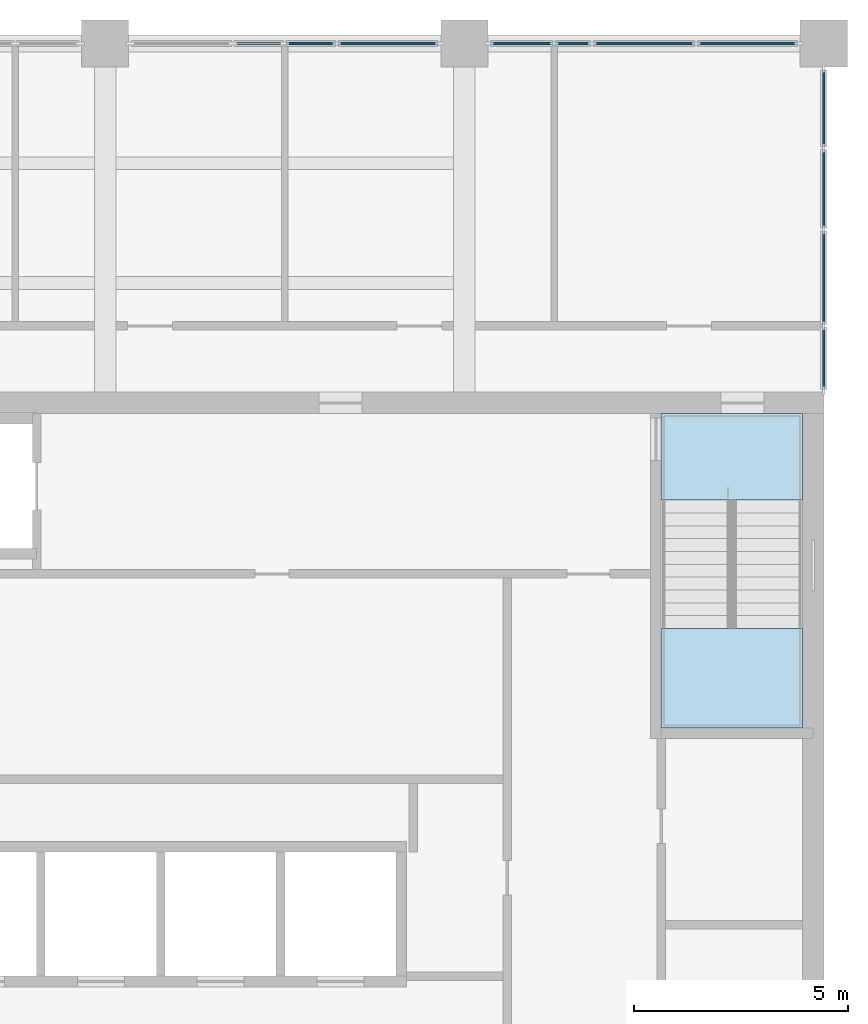
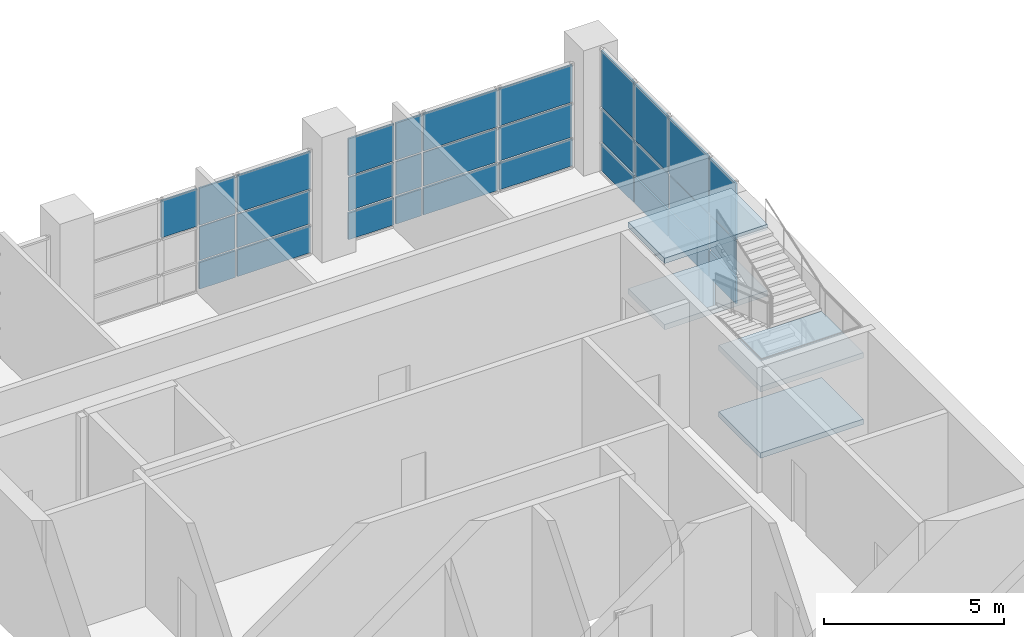
# One storey, part 21 of 64: 31 plates, 4 slabs, 4 elements without a shape of their own.
"""IFC4 building model written with IfcOpenShell, lengths in metres."""

from ifc_helpers import new_model, si_unit, direction, frame, origin, origin_2d, place, context, subcontext, project, spatial, polyline, rectangle, outline, extrude, material, layer, layer_set, type_object, element, aggregate, save


model = new_model("IFC4")

# Units and contexts
model_context = context("Model", 3, precision=1e-05, world=origin(), true_north=direction((0.0, 1.0)))
body_context = subcontext(model_context, "Body", "Model", "MODEL_VIEW")
ifc_project = project(units=[si_unit("LENGTHUNIT", "METRE"), si_unit("AREAUNIT", "SQUARE_METRE"), si_unit("VOLUMEUNIT", "CUBIC_METRE"), si_unit("PLANEANGLEUNIT", "RADIAN"), si_unit("MASSUNIT", "GRAM", prefix="KILO")], contexts=[model_context])

# Site, building, storey
site_placement = place(None, origin())
site = spatial("IfcSite", under=ifc_project, at=site_placement, CompositionType="ELEMENT")
building_placement = place(site_placement, origin())
building = spatial("IfcBuilding", under=site, at=building_placement, Name="Rulbaag Community and Learning Centre", CompositionType="ELEMENT")
storey_placement = place(building_placement, frame((0.0, 0.0, 5.39990234375)))
storey = spatial("IfcBuildingStorey", under=building, at=storey_placement, Name="L01", CompositionType="ELEMENT", Elevation=5.39990234375)

# Curtain wall, plates
ifc_material_1 = material(Name="Aluminium", Category="aluminium")
ifc_layer_1 = layer(ifc_material_1, 0.14990234375)
ifc_layer_set_1 = layer_set([ifc_layer_1], Name="CW-T")
curtain_wall_type = type_object("IfcCurtainWallType", Name="CW-T", PredefinedType="USERDEFINED", material=ifc_layer_set_1)
curtain_wall_1_placement = place(storey_placement, origin())
curtain_wall_1 = element("IfcCurtainWall", 1, at=curtain_wall_1_placement, inside=storey, type_object=curtain_wall_type, Name="GT-L01-02", ObjectType="UNITISED CURTAIN WALL", PredefinedType="USERDEFINED")
ifc_layer_2 = layer(ifc_material_1, 0.06005859375)
ifc_layer_set_2 = layer_set([ifc_layer_2], Name="CW-T-SPN")
plate_type_1 = type_object("IfcPlateType", Name="CW-T-SPN", PredefinedType="CURTAIN_PANEL", material=ifc_layer_set_2)
plate_1_placement = place(storey_placement, frame((154.791748046875, 117.60009765625, 2.232666015625), z_axis=(0.0, 0.0, 1.0), x_axis=(1.0, 0.0, 0.0)))
plate_1 = element("IfcPlate", 2, at=plate_1_placement, type_object=plate_type_1, Name="GT spandrel panel", PredefinedType="CURTAIN_PANEL", context=body_context, shape_type="SweptSolid", body=[
    extrude(rectangle(XDim=1.151611328125, YDim=0.06005859375, at=origin_2d()), origin(), (0.0, 0.0, 1.0), 1.25244140625),
])
plate_2_placement = place(storey_placement, frame((156.00830078125, 117.60009765625, 0.06494140625), z_axis=(0.0, 0.0, 1.0), x_axis=(1.0, 0.0, 0.0)))
plate_2 = element("IfcPlate", 3, at=plate_2_placement, type_object=plate_type_1, Name="GT spandrel panel", PredefinedType="CURTAIN_PANEL", context=body_context, shape_type="SweptSolid", body=[
    extrude(rectangle(XDim=1.151611328125, YDim=0.06005859375, at=origin_2d()), origin(), (0.0, 0.0, 1.0), 0.902587890625),
])
plate_3_placement = place(storey_placement, frame((156.00830078125, 117.60009765625, 2.232666015625), z_axis=(0.0, 0.0, 1.0), x_axis=(1.0, 0.0, 0.0)))
plate_3 = element("IfcPlate", 4, at=plate_3_placement, type_object=plate_type_1, Name="GT spandrel panel", PredefinedType="CURTAIN_PANEL", context=body_context, shape_type="SweptSolid", body=[
    extrude(rectangle(XDim=1.151611328125, YDim=0.06005859375, at=origin_2d()), origin(), (0.0, 0.0, 1.0), 1.25244140625),
])
plate_4_placement = place(storey_placement, frame((157.817138671875, 117.60009765625, 0.06494140625), z_axis=(0.0, 0.0, 1.0), x_axis=(1.0, 0.0, 0.0)))
plate_4 = element("IfcPlate", 5, at=plate_4_placement, type_object=plate_type_1, Name="GT spandrel panel", PredefinedType="CURTAIN_PANEL", context=body_context, shape_type="SweptSolid", body=[
    extrude(rectangle(XDim=2.3359375, YDim=0.06005859375, at=origin_2d()), origin(), (0.0, 0.0, 1.0), 0.902587890625),
])
plate_5_placement = place(storey_placement, frame((157.817138671875, 117.60009765625, 2.232666015625), z_axis=(0.0, 0.0, 1.0), x_axis=(1.0, 0.0, 0.0)))
plate_5 = element("IfcPlate", 6, at=plate_5_placement, type_object=plate_type_1, Name="GT spandrel panel", PredefinedType="CURTAIN_PANEL", context=body_context, shape_type="SweptSolid", body=[
    extrude(rectangle(XDim=2.3359375, YDim=0.06005859375, at=origin_2d()), origin(), (0.0, 0.0, 1.0), 1.25244140625),
])

curtain_wall_2_placement = place(storey_placement, origin())
curtain_wall_2 = element("IfcCurtainWall", 7, at=curtain_wall_2_placement, inside=storey, type_object=curtain_wall_type, Name="GT-L01-03", ObjectType="UNITISED CURTAIN WALL", PredefinedType="USERDEFINED")
plate_6_placement = place(storey_placement, frame((160.941162109375, 117.60009765625, 0.06494140625), z_axis=(0.0, 0.0, 1.0), x_axis=(1.0, 0.0, 0.0)))
plate_6 = element("IfcPlate", 8, at=plate_6_placement, type_object=plate_type_1, Name="GT spandrel panel", PredefinedType="CURTAIN_PANEL", context=body_context, shape_type="SweptSolid", body=[
    extrude(rectangle(XDim=1.452392578125, YDim=0.06005859375, at=origin_2d()), origin(), (0.0, 0.0, 1.0), 0.902587890625),
])
plate_7_placement = place(storey_placement, frame((160.941162109375, 117.60009765625, 2.232666015625), z_axis=(0.0, 0.0, 1.0), x_axis=(1.0, 0.0, 0.0)))
plate_7 = element("IfcPlate", 9, at=plate_7_placement, type_object=plate_type_1, Name="GT spandrel panel", PredefinedType="CURTAIN_PANEL", context=body_context, shape_type="SweptSolid", body=[
    extrude(rectangle(XDim=1.452392578125, YDim=0.06005859375, at=origin_2d()), origin(), (0.0, 0.0, 1.0), 1.25244140625),
])
plate_8_placement = place(storey_placement, frame((162.1416015625, 117.60009765625, 0.06494140625), z_axis=(0.0, 0.0, 1.0), x_axis=(1.0, 0.0, 0.0)))
plate_8 = element("IfcPlate", 10, at=plate_8_placement, type_object=plate_type_1, Name="GT spandrel panel", PredefinedType="CURTAIN_PANEL", context=body_context, shape_type="SweptSolid", body=[
    extrude(rectangle(XDim=0.818359375, YDim=0.06005859375, at=origin_2d()), origin(), (0.0, 0.0, 1.0), 0.902587890625),
])
plate_9_placement = place(storey_placement, frame((162.1416015625, 117.60009765625, 2.232666015625), z_axis=(0.0, 0.0, 1.0), x_axis=(1.0, 0.0, 0.0)))
plate_9 = element("IfcPlate", 11, at=plate_9_placement, type_object=plate_type_1, Name="GT spandrel panel", PredefinedType="CURTAIN_PANEL", context=body_context, shape_type="SweptSolid", body=[
    extrude(rectangle(XDim=0.818359375, YDim=0.06005859375, at=origin_2d()), origin(), (0.0, 0.0, 1.0), 1.25244140625),
])
plate_10_placement = place(storey_placement, frame((163.800048828125, 117.60009765625, 0.06494140625), z_axis=(0.0, 0.0, 1.0), x_axis=(1.0, 0.0, 0.0)))
plate_10 = element("IfcPlate", 12, at=plate_10_placement, type_object=plate_type_1, Name="GT spandrel panel", PredefinedType="CURTAIN_PANEL", context=body_context, shape_type="SweptSolid", body=[
    extrude(rectangle(XDim=2.368408203125, YDim=0.06005859375, at=origin_2d()), origin(), (0.0, 0.0, 1.0), 0.902587890625),
])
plate_11_placement = place(storey_placement, frame((163.800048828125, 117.60009765625, 2.232666015625), z_axis=(0.0, 0.0, 1.0), x_axis=(1.0, 0.0, 0.0)))
plate_11 = element("IfcPlate", 13, at=plate_11_placement, type_object=plate_type_1, Name="GT spandrel panel", PredefinedType="CURTAIN_PANEL", context=body_context, shape_type="SweptSolid", body=[
    extrude(rectangle(XDim=2.368408203125, YDim=0.06005859375, at=origin_2d()), origin(), (0.0, 0.0, 1.0), 1.25244140625),
])
plate_12_placement = place(storey_placement, frame((166.217041015625, 117.60009765625, 0.06494140625), z_axis=(0.0, 0.0, 1.0), x_axis=(1.0, 0.0, 0.0)))
plate_12 = element("IfcPlate", 14, at=plate_12_placement, type_object=plate_type_1, Name="GT spandrel panel", PredefinedType="CURTAIN_PANEL", context=body_context, shape_type="SweptSolid", body=[
    extrude(rectangle(XDim=2.3359375, YDim=0.06005859375, at=origin_2d()), origin(), (0.0, 0.0, 1.0), 0.902587890625),
])
plate_13_placement = place(storey_placement, frame((166.217041015625, 117.60009765625, 2.232666015625), z_axis=(0.0, 0.0, 1.0), x_axis=(1.0, 0.0, 0.0)))
plate_13 = element("IfcPlate", 15, at=plate_13_placement, type_object=plate_type_1, Name="GT spandrel panel", PredefinedType="CURTAIN_PANEL", context=body_context, shape_type="SweptSolid", body=[
    extrude(rectangle(XDim=2.3359375, YDim=0.06005859375, at=origin_2d()), origin(), (0.0, 0.0, 1.0), 1.25244140625),
])

curtain_wall_3_placement = place(storey_placement, origin())
curtain_wall_3 = element("IfcCurtainWall", 16, at=curtain_wall_3_placement, inside=storey, type_object=curtain_wall_type, Name="GT-L01-06", ObjectType="UNITISED CURTAIN WALL", PredefinedType="USERDEFINED")
plate_14_placement = place(storey_placement, frame((168.0, 110.2412109375, 0.06494140625), z_axis=(0.0, 0.0, 1.0), x_axis=(0.0, 1.0, 0.0)))
plate_14 = element("IfcPlate", 17, at=plate_14_placement, type_object=plate_type_1, Name="GT spandrel panel", PredefinedType="CURTAIN_PANEL", context=body_context, shape_type="SweptSolid", body=[
    extrude(rectangle(XDim=1.452392578125, YDim=0.06005859375, at=origin_2d()), origin(), (0.0, 0.0, 1.0), 0.902587890625),
])
plate_15_placement = place(storey_placement, frame((168.0, 110.2412109375, 2.232421875), z_axis=(0.0, 0.0, 1.0), x_axis=(0.0, 1.0, 0.0)))
plate_15 = element("IfcPlate", 18, at=plate_15_placement, type_object=plate_type_1, Name="GT spandrel panel", PredefinedType="CURTAIN_PANEL", context=body_context, shape_type="SweptSolid", body=[
    extrude(rectangle(XDim=1.452392578125, YDim=0.06005859375, at=origin_2d()), origin(), (0.0, 0.0, 1.0), 1.902587890625),
])
plate_16_placement = place(storey_placement, frame((168.0, 112.125, 0.06494140625), z_axis=(0.0, 0.0, 1.0), x_axis=(0.0, 1.0, 0.0)))
plate_16 = element("IfcPlate", 19, at=plate_16_placement, type_object=plate_type_1, Name="GT spandrel panel", PredefinedType="CURTAIN_PANEL", context=body_context, shape_type="SweptSolid", body=[
    extrude(rectangle(XDim=2.18505859375, YDim=0.06005859375, at=origin_2d()), origin(), (0.0, 0.0, 1.0), 0.902587890625),
])
plate_17_placement = place(storey_placement, frame((168.0, 112.125, 2.232421875), z_axis=(0.0, 0.0, 1.0), x_axis=(0.0, 1.0, 0.0)))
plate_17 = element("IfcPlate", 20, at=plate_17_placement, type_object=plate_type_1, Name="GT spandrel panel", PredefinedType="CURTAIN_PANEL", context=body_context, shape_type="SweptSolid", body=[
    extrude(rectangle(XDim=2.18505859375, YDim=0.06005859375, at=origin_2d()), origin(), (0.0, 0.0, 1.0), 1.902587890625),
])
plate_18_placement = place(storey_placement, frame((168.0, 114.199951171875, 0.06494140625), z_axis=(0.0, 0.0, 1.0), x_axis=(0.0, 1.0, 0.0)))
plate_18 = element("IfcPlate", 21, at=plate_18_placement, type_object=plate_type_1, Name="GT spandrel panel", PredefinedType="CURTAIN_PANEL", context=body_context, shape_type="SweptSolid", body=[
    extrude(rectangle(XDim=1.8349609375, YDim=0.06005859375, at=origin_2d()), origin(), (0.0, 0.0, 1.0), 0.902587890625),
])
plate_19_placement = place(storey_placement, frame((168.0, 114.199951171875, 2.232421875), z_axis=(0.0, 0.0, 1.0), x_axis=(0.0, 1.0, 0.0)))
plate_19 = element("IfcPlate", 22, at=plate_19_placement, type_object=plate_type_1, Name="GT spandrel panel", PredefinedType="CURTAIN_PANEL", context=body_context, shape_type="SweptSolid", body=[
    extrude(rectangle(XDim=1.8349609375, YDim=0.06005859375, at=origin_2d()), origin(), (0.0, 0.0, 1.0), 1.902587890625),
])
plate_20_placement = place(storey_placement, frame((168.0, 116.083740234375, 0.06494140625), z_axis=(0.0, 0.0, 1.0), x_axis=(0.0, 1.0, 0.0)))
plate_20 = element("IfcPlate", 23, at=plate_20_placement, type_object=plate_type_1, Name="GT spandrel panel", PredefinedType="CURTAIN_PANEL", context=body_context, shape_type="SweptSolid", body=[
    extrude(rectangle(XDim=1.802490234375, YDim=0.06005859375, at=origin_2d()), origin(), (0.0, 0.0, 1.0), 0.902587890625),
])
plate_21_placement = place(storey_placement, frame((168.0, 116.083740234375, 2.232421875), z_axis=(0.0, 0.0, 1.0), x_axis=(0.0, 1.0, 0.0)))
plate_21 = element("IfcPlate", 24, at=plate_21_placement, type_object=plate_type_1, Name="GT spandrel panel", PredefinedType="CURTAIN_PANEL", context=body_context, shape_type="SweptSolid", body=[
    extrude(rectangle(XDim=1.802490234375, YDim=0.06005859375, at=origin_2d()), origin(), (0.0, 0.0, 1.0), 1.902587890625),
])

# Plate
ifc_material_2 = material(Name="Glass", Category="glass")
ifc_layer_3 = layer(ifc_material_2, 0.028076171875)
ifc_layer_set_3 = layer_set([ifc_layer_3], Name="CW-T-VIS")
plate_type_2 = type_object("IfcPlateType", Name="CW-T-VIS", PredefinedType="CURTAIN_PANEL", material=ifc_layer_set_3)
plate_22_placement = place(storey_placement, frame((156.00830078125, 117.60009765625, 1.03271484375), z_axis=(0.0, 0.0, 1.0), x_axis=(1.0, 0.0, 0.0)))
plate_22 = element("IfcPlate", 25, at=plate_22_placement, type_object=plate_type_2, Name="GT vision panel", PredefinedType="CURTAIN_PANEL", context=body_context, shape_type="SweptSolid", body=[
    extrude(rectangle(XDim=1.151611328125, YDim=0.028076171875, at=origin_2d()), origin(), (0.0, 0.0, 1.0), 1.135009765625),
])

plate_23_placement = place(storey_placement, frame((157.817138671875, 117.60009765625, 1.03271484375), z_axis=(0.0, 0.0, 1.0), x_axis=(1.0, 0.0, 0.0)))
plate_23 = element("IfcPlate", 26, at=plate_23_placement, type_object=plate_type_2, Name="GT vision panel", PredefinedType="CURTAIN_PANEL", context=body_context, shape_type="SweptSolid", body=[
    extrude(rectangle(XDim=2.3359375, YDim=0.028076171875, at=origin_2d()), origin(), (0.0, 0.0, 1.0), 1.135009765625),
])

aggregate(curtain_wall_1, [plate_1, plate_2, plate_22, plate_3, plate_4, plate_23, plate_5])

plate_24_placement = place(storey_placement, frame((160.941162109375, 117.60009765625, 1.03271484375), z_axis=(0.0, 0.0, 1.0), x_axis=(1.0, 0.0, 0.0)))
plate_24 = element("IfcPlate", 27, at=plate_24_placement, type_object=plate_type_2, Name="GT vision panel", PredefinedType="CURTAIN_PANEL", context=body_context, shape_type="SweptSolid", body=[
    extrude(rectangle(XDim=1.452392578125, YDim=0.028076171875, at=origin_2d()), origin(), (0.0, 0.0, 1.0), 1.135009765625),
])

plate_25_placement = place(storey_placement, frame((162.1416015625, 117.60009765625, 1.03271484375), z_axis=(0.0, 0.0, 1.0), x_axis=(1.0, 0.0, 0.0)))
plate_25 = element("IfcPlate", 28, at=plate_25_placement, type_object=plate_type_2, Name="GT vision panel", PredefinedType="CURTAIN_PANEL", context=body_context, shape_type="SweptSolid", body=[
    extrude(rectangle(XDim=0.818359375, YDim=0.028076171875, at=origin_2d()), origin(), (0.0, 0.0, 1.0), 1.135009765625),
])

plate_26_placement = place(storey_placement, frame((163.800048828125, 117.60009765625, 1.03271484375), z_axis=(0.0, 0.0, 1.0), x_axis=(1.0, 0.0, 0.0)))
plate_26 = element("IfcPlate", 29, at=plate_26_placement, type_object=plate_type_2, Name="GT vision panel", PredefinedType="CURTAIN_PANEL", context=body_context, shape_type="SweptSolid", body=[
    extrude(rectangle(XDim=2.368408203125, YDim=0.028076171875, at=origin_2d()), origin(), (0.0, 0.0, 1.0), 1.135009765625),
])

plate_27_placement = place(storey_placement, frame((166.217041015625, 117.60009765625, 1.03271484375), z_axis=(0.0, 0.0, 1.0), x_axis=(1.0, 0.0, 0.0)))
plate_27 = element("IfcPlate", 30, at=plate_27_placement, type_object=plate_type_2, Name="GT vision panel", PredefinedType="CURTAIN_PANEL", context=body_context, shape_type="SweptSolid", body=[
    extrude(rectangle(XDim=2.3359375, YDim=0.028076171875, at=origin_2d()), origin(), (0.0, 0.0, 1.0), 1.135009765625),
])

aggregate(curtain_wall_2, [plate_6, plate_24, plate_7, plate_8, plate_25, plate_9, plate_10, plate_26, plate_11, plate_12, plate_27, plate_13])

plate_28_placement = place(storey_placement, frame((168.0, 110.2412109375, 1.03271484375), z_axis=(0.0, 0.0, 1.0), x_axis=(0.0, 1.0, 0.0)))
plate_28 = element("IfcPlate", 31, at=plate_28_placement, type_object=plate_type_2, Name="GT vision panel", PredefinedType="CURTAIN_PANEL", context=body_context, shape_type="SweptSolid", body=[
    extrude(rectangle(XDim=1.452392578125, YDim=0.028076171875, at=origin_2d()), origin(), (0.0, 0.0, 1.0), 1.135009765625),
])

plate_29_placement = place(storey_placement, frame((168.0, 112.125, 1.03271484375), z_axis=(0.0, 0.0, 1.0), x_axis=(0.0, 1.0, 0.0)))
plate_29 = element("IfcPlate", 32, at=plate_29_placement, type_object=plate_type_2, Name="GT vision panel", PredefinedType="CURTAIN_PANEL", context=body_context, shape_type="SweptSolid", body=[
    extrude(rectangle(XDim=2.18505859375, YDim=0.028076171875, at=origin_2d()), origin(), (0.0, 0.0, 1.0), 1.135009765625),
])

plate_30_placement = place(storey_placement, frame((168.0, 114.199951171875, 1.03271484375), z_axis=(0.0, 0.0, 1.0), x_axis=(0.0, 1.0, 0.0)))
plate_30 = element("IfcPlate", 33, at=plate_30_placement, type_object=plate_type_2, Name="GT vision panel", PredefinedType="CURTAIN_PANEL", context=body_context, shape_type="SweptSolid", body=[
    extrude(rectangle(XDim=1.8349609375, YDim=0.028076171875, at=origin_2d()), origin(), (0.0, 0.0, 1.0), 1.135009765625),
])

plate_31_placement = place(storey_placement, frame((168.0, 116.083740234375, 1.03271484375), z_axis=(0.0, 0.0, 1.0), x_axis=(0.0, 1.0, 0.0)))
plate_31 = element("IfcPlate", 34, at=plate_31_placement, type_object=plate_type_2, Name="GT vision panel", PredefinedType="CURTAIN_PANEL", context=body_context, shape_type="SweptSolid", body=[
    extrude(rectangle(XDim=1.802490234375, YDim=0.028076171875, at=origin_2d()), origin(), (0.0, 0.0, 1.0), 1.135009765625),
])

aggregate(curtain_wall_3, [plate_14, plate_28, plate_15, plate_16, plate_29, plate_17, plate_18, plate_30, plate_19, plate_20, plate_31, plate_21])

# Stair, slabs
ifc_material_3 = material(Name="Concrete M40", Category="concrete")
stair_type = type_object("IfcStairType", Name="ST-1650 STAIR 1650 WIDE", PredefinedType="HALF_TURN_STAIR", material=ifc_material_3)
stair_placement = place(storey_placement, origin())
stair = element("IfcStair", 35, at=stair_placement, inside=storey, type_object=stair_type, Name="Stair ST2 L01", PredefinedType="HALF_TURN_STAIR")
ifc_layer_4 = layer(ifc_material_3, 0.179931640625)
ifc_layer_set_4 = layer_set([ifc_layer_4], Name="LN-180 LANDING 180 Concrete M40")
slab_type = type_object("IfcSlabType", Name="LN-180 LANDING 180 Concrete M40", PredefinedType="LANDING", material=ifc_layer_set_4)
slab_1_placement = place(storey_placement, frame((0.0, 0.0, 0.945068359375)))
slab_1 = element("IfcSlab", 36, at=slab_1_placement, type_object=slab_type, Name="ST2 landing 1", PredefinedType="LANDING", context=body_context, shape_type="SweptSolid", body=[
    extrude(outline(polyline([(164.199951171875, 101.60009765625), (164.199951171875, 103.925048828125), (167.5, 103.925048828125), (167.5, 101.60009765625), (164.199951171875, 101.60009765625)])), origin(), (0.0, 0.0, 1.0), 0.179931640625),
])
slab_2_placement = place(storey_placement, frame((0.0, 0.0, 2.070068359375)))
slab_2 = element("IfcSlab", 37, at=slab_2_placement, type_object=slab_type, Name="ST2 landing 2", PredefinedType="LANDING", context=body_context, shape_type="SweptSolid", body=[
    extrude(outline(polyline([(164.199951171875, 106.925048828125), (164.199951171875, 108.949951171875), (167.5, 108.949951171875), (167.5, 106.925048828125), (164.199951171875, 106.925048828125)])), origin(), (0.0, 0.0, 1.0), 0.179931640625),
])
slab_3_placement = place(storey_placement, frame((0.0, 0.0, 3.195068359375)))
slab_3 = element("IfcSlab", 38, at=slab_3_placement, type_object=slab_type, Name="ST2 landing 3", PredefinedType="LANDING", context=body_context, shape_type="SweptSolid", body=[
    extrude(outline(polyline([(164.199951171875, 101.60009765625), (164.199951171875, 103.925048828125), (167.5, 103.925048828125), (167.5, 101.60009765625), (164.199951171875, 101.60009765625)])), origin(), (0.0, 0.0, 1.0), 0.179931640625),
])
slab_4_placement = place(storey_placement, frame((0.0, 0.0, 4.320068359375)))
slab_4 = element("IfcSlab", 39, at=slab_4_placement, type_object=slab_type, Name="ST2 landing 4", PredefinedType="LANDING", context=body_context, shape_type="SweptSolid", body=[
    extrude(outline(polyline([(164.199951171875, 106.925048828125), (164.199951171875, 108.949951171875), (167.5, 108.949951171875), (167.5, 106.925048828125), (164.199951171875, 106.925048828125)])), origin(), (0.0, 0.0, 1.0), 0.179931640625),
])
aggregate(stair, [slab_1, slab_2, slab_3, slab_4])

save(model, "model.ifc")
